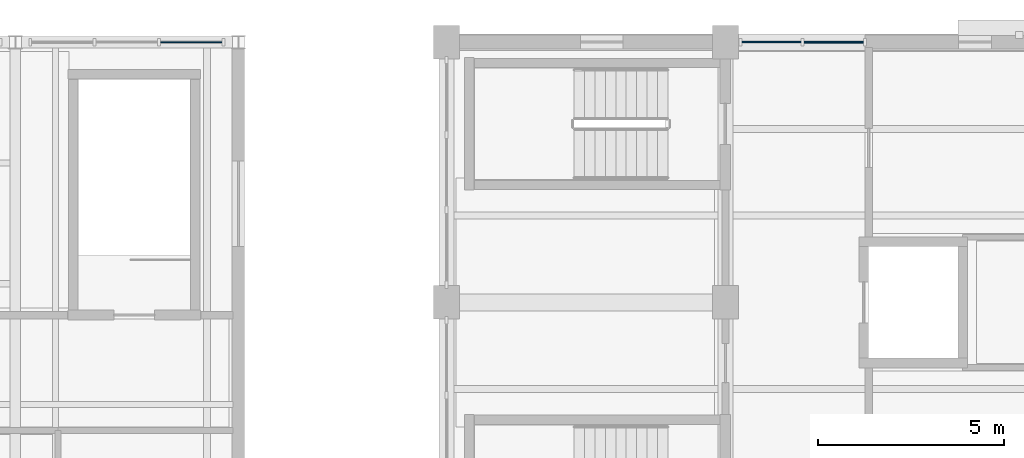
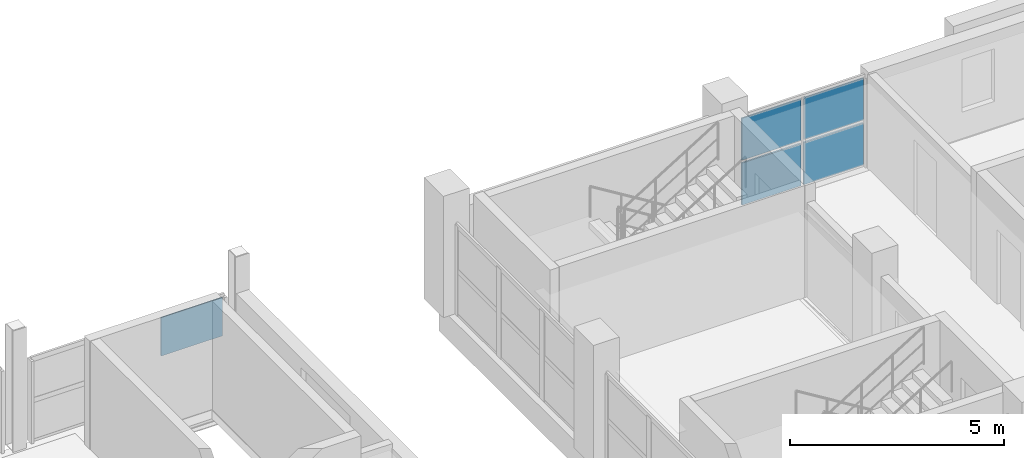
# One storey, part 56 of 77: 5 plates, 2 elements without a shape of their own.
"""IFC4 building model written with IfcOpenShell, lengths in metres."""

import ifcopenshell
import ifcopenshell.guid

model = None  # the IFC model being written
_history = None  # IfcOwnerHistory: only IFC2X3 demands one
_inside = {}  # id of a spatial element -> (the spatial element, [elements in it])
_under = {}  # id of a project, library or spatial element -> (it, [spatial elements below it])
_declared = {}  # id of a project -> (the project, [libraries it declares])
_typed = {}  # id of a type object -> (the type object, [elements of that type])
_made_of = {}  # id of a material, layer set ... -> (it, [elements and type objects made of it])


def new_model(schema):
    """Start an empty IFC model of exactly this schema.

    Asked for "IFC4X3", IfcOpenShell would pick the latest addendum, in which some entities
    have other attributes; the version numbers below select the first issue.
    IFC2X3 requires an IfcOwnerHistory on every rooted entity: one is made here for all.
    """
    global model, _history
    if schema == "IFC4X3":
        model = ifcopenshell.file(schema_version=(4, 3, 0, 0))
    else:
        model = ifcopenshell.file(schema=schema)
    _inside.clear()
    _under.clear()
    _declared.clear()
    _typed.clear()
    _made_of.clear()
    _history = None
    if model.schema == "IFC2X3":
        org = make("IfcOrganization", Name="unknown")
        user = make(
            "IfcPersonAndOrganization",
            ThePerson=make("IfcPerson", FamilyName="unknown"),
            TheOrganization=org,
        )
        app = make(
            "IfcApplication",
            ApplicationDeveloper=org,
            Version="unknown",
            ApplicationFullName="unknown",
            ApplicationIdentifier="unknown",
        )
        _history = make(
            "IfcOwnerHistory",
            OwningUser=user,
            OwningApplication=app,
            ChangeAction="ADDED",
            CreationDate=0,
        )
    return model


def make(cls, **values):
    """One entity of the class cls with the attributes given. An attribute that is None is left unset."""
    return model.create_entity(
        cls, **{name: value for name, value in values.items() if value is not None}
    )


def rooted(cls, **values):
    """An entity with a GlobalId (a new one), such as an element, a storey or a relation."""
    return make(cls, GlobalId=ifcopenshell.guid.new(), OwnerHistory=_history, **values)


def si_unit(unit_type, name, prefix=None):
    """IfcSIUnit, for example si_unit("LENGTHUNIT", "METRE", prefix="MILLI")."""
    return make("IfcSIUnit", UnitType=unit_type, Prefix=prefix, Name=name)


def assignment(units):
    """IfcUnitAssignment: the units of a project."""
    return None if units is None else make("IfcUnitAssignment", Units=units)


def point(xyz):
    """IfcCartesianPoint."""
    return None if xyz is None else make("IfcCartesianPoint", Coordinates=xyz)


def direction(xyz):
    """IfcDirection."""
    return None if xyz is None else make("IfcDirection", DirectionRatios=xyz)


def frame(location, z_axis=None, x_axis=None):
    """IfcAxis2Placement3D, a coordinate frame: its origin and axes. An axis left out is left unset."""
    return make(
        "IfcAxis2Placement3D",
        Location=point(location),
        Axis=direction(z_axis),
        RefDirection=direction(x_axis),
    )


def frame_2d(location, x_axis=None):
    """IfcAxis2Placement2D, a coordinate frame in the plane: its origin and x axis."""
    return make(
        "IfcAxis2Placement2D", Location=point(location), RefDirection=direction(x_axis)
    )


def origin():
    """The frame at (0, 0, 0) with its axes left unset."""
    return frame((0.0, 0.0, 0.0))


def origin_2d():
    """The frame at (0, 0) in the plane with its x axis left unset."""
    return frame_2d((0.0, 0.0))


def place(relative_to, where):
    """IfcLocalPlacement: puts the frame where relative to a parent placement (None: the world)."""
    return make(
        "IfcLocalPlacement", PlacementRelTo=relative_to, RelativePlacement=where
    )


def context(
    kind, dimensions, precision=None, world=None, true_north=None, identifier=None
):
    """IfcGeometricRepresentationContext, for example the 3D "Model" context."""
    return make(
        "IfcGeometricRepresentationContext",
        ContextIdentifier=identifier,
        ContextType=kind,
        CoordinateSpaceDimension=dimensions,
        Precision=precision,
        WorldCoordinateSystem=world,
        TrueNorth=true_north,
    )


def subcontext(parent, identifier, kind, view, scale=None):
    """IfcGeometricRepresentationSubContext, for example "Body" below "Model"."""
    return make(
        "IfcGeometricRepresentationSubContext",
        ContextIdentifier=identifier,
        ContextType=kind,
        ParentContext=parent,
        TargetScale=scale,
        TargetView=view,
    )


def project(units=None, contexts=None):
    """IfcProject with its units and contexts."""
    return rooted(
        "IfcProject",
        Name="project",
        RepresentationContexts=contexts,
        UnitsInContext=assignment(units),
    )


def spatial(cls, under=None, at=None, **own):
    """A site, building, storey or space (cls), placed at a placement, below another one or the project."""
    s = rooted(cls, ObjectPlacement=at, **own)
    if under is not None:
        _under.setdefault(under.id(), (under, []))[1].append(s)
    return s


def profile(cls, at=None, kind="AREA", **sizes):
    """A parametric profile (cls). Its sizes go by their IFC names, for example OverallWidth=200.0."""
    return make(cls, ProfileType=kind, Position=at, **sizes)


def rectangle(**sizes):
    """IfcRectangleProfileDef."""
    return profile("IfcRectangleProfileDef", **sizes)


def extrude(swept, where, along, depth):
    """IfcExtrudedAreaSolid: the profile swept, set in the frame where, extruded along a direction by depth."""
    return make(
        "IfcExtrudedAreaSolid",
        SweptArea=swept,
        Position=where,
        ExtrudedDirection=direction(along),
        Depth=depth,
    )


def shape(context_of_items, identifier, shape_type, items):
    """IfcShapeRepresentation: the items that make up one representation, for example the "Body"."""
    return make(
        "IfcShapeRepresentation",
        ContextOfItems=context_of_items,
        RepresentationIdentifier=identifier,
        RepresentationType=shape_type,
        Items=items,
    )


def material(Name=None, Category=None):
    """IfcMaterial."""
    return make("IfcMaterial", Name=Name, Category=Category)


def layer(
    of_material, thickness, ventilated=None, Name=None, Category=None, Priority=None
):
    """IfcMaterialLayer: one layer of a wall or slab, of a material (None: an air gap)."""
    return make(
        "IfcMaterialLayer",
        Material=of_material,
        LayerThickness=thickness,
        IsVentilated=ventilated,
        Name=Name,
        Category=Category,
        Priority=Priority,
    )


def layer_set(layers, Name=None):
    """IfcMaterialLayerSet."""
    return make("IfcMaterialLayerSet", MaterialLayers=layers, LayerSetName=Name)


def made_of(thing, what):
    """Note that an element or type object is made of a material, layer set ...; save() writes the relation."""
    if what is not None:
        _made_of.setdefault(what.id(), (what, []))[1].append(thing)
    return thing


def type_object(cls, material=None, **own):
    """A type object (cls), such as IfcWallType, which elements share."""
    return made_of(rooted(cls, **own), material)


def element(
    cls,
    number,
    at=None,
    inside=None,
    cuts=None,
    type_object=None,
    material=None,
    context=None,
    identifier="Body",
    shape_type=None,
    held_by="IfcProductDefinitionShape",
    body=None,
    shapes=None,
    **own,
):
    """One element of the class cls, such as IfcWall. Its Tag is "e" and its number.

    at: its placement. inside: the storey or other place that contains it. cuts: it is an
    opening in that element (IfcRelVoidsElement). A single representation is given by context,
    identifier, shape_type and body (its items); several are given by shapes. held_by: the class
    of the entity that holds the representations. save() writes the other relations.
    """
    e = rooted(cls, Tag="e%d" % number, ObjectPlacement=at, **own)
    if body is not None:
        shapes = [shape(context, identifier, shape_type, body)]
    if shapes is not None:
        e.Representation = make(held_by, Representations=shapes)
    if inside is not None:
        _inside.setdefault(inside.id(), (inside, []))[1].append(e)
    if cuts is not None:
        rooted(
            "IfcRelVoidsElement", RelatingBuildingElement=cuts, RelatedOpeningElement=e
        )
    if type_object is not None:
        _typed.setdefault(type_object.id(), (type_object, []))[1].append(e)
    return made_of(e, material)


def aggregate(whole, parts):
    """IfcRelAggregates: a whole, such as a stair, and the parts it consists of."""
    return rooted("IfcRelAggregates", RelatingObject=whole, RelatedObjects=parts)


def save(model, path):
    """Write the relations noted so far, then the file.

    IfcRelAggregates (storeys below a building ...), IfcRelContainedInSpatialStructure (elements
    in a storey), IfcRelDefinesByType, IfcRelAssociatesMaterial and IfcRelDeclares: one each for
    every whole, place, type object, material and project.
    """
    for whole, parts in _under.values():
        aggregate(whole, parts)
    for where, things in _inside.values():
        rooted(
            "IfcRelContainedInSpatialStructure",
            RelatedElements=things,
            RelatingStructure=where,
        )
    for kind, things in _typed.values():
        rooted("IfcRelDefinesByType", RelatedObjects=things, RelatingType=kind)
    for what, things in _made_of.values():
        rooted("IfcRelAssociatesMaterial", RelatedObjects=things, RelatingMaterial=what)
    for by, libraries in _declared.values():
        rooted("IfcRelDeclares", RelatingContext=by, RelatedDefinitions=libraries)
    model.write(path)


model = new_model("IFC4")

# Units and contexts
model_context = context("Model", 3, precision=1e-05, world=origin(), true_north=direction((0.0, 1.0)))
body_context = subcontext(model_context, "Body", "Model", "MODEL_VIEW")
ifc_project = project(units=[si_unit("LENGTHUNIT", "METRE"), si_unit("AREAUNIT", "SQUARE_METRE"), si_unit("VOLUMEUNIT", "CUBIC_METRE"), si_unit("PLANEANGLEUNIT", "RADIAN"), si_unit("MASSUNIT", "GRAM", prefix="KILO")], contexts=[model_context])

# Site, building, storey
site_placement = place(None, origin())
site = spatial("IfcSite", under=ifc_project, at=site_placement, CompositionType="ELEMENT")
building_placement = place(site_placement, origin())
building = spatial("IfcBuilding", under=site, at=building_placement, Name="Trellovar Central Fire Station", CompositionType="ELEMENT")
storey_placement = place(building_placement, frame((0.0, 0.0, 5.85009765625)))
storey = spatial("IfcBuildingStorey", under=building, at=storey_placement, Name="L02", CompositionType="ELEMENT", Elevation=5.85009765625)

# Curtain wall, plates
ifc_material_1 = material(Name="Thermally broken bronze anodized aluminum", Category="aluminium")
ifc_layer_1 = layer(ifc_material_1, 0.159912109375)
ifc_layer_set_1 = layer_set([ifc_layer_1], Name="Thermally broken bronze anodized aluminum")
curtain_wall_type_1 = type_object("IfcCurtainWallType", Name="CW-08", PredefinedType="NOTDEFINED", material=ifc_layer_set_1)
curtain_wall_1_placement = place(storey_placement, origin())
curtain_wall_1 = element("IfcCurtainWall", 1, at=curtain_wall_1_placement, inside=storey, type_object=curtain_wall_type_1, Name="V2 L02 north lobby curtain wall", PredefinedType="NOTDEFINED")
ifc_material_2 = material(Name="Double low-E solar control insulated glazing", Category="glass")
ifc_layer_2 = layer(ifc_material_2, 0.035888671875)
ifc_layer_set_2 = layer_set([ifc_layer_2], Name="Double low-E solar control insulated glazing")
plate_type_1 = type_object("IfcPlateType", Name="CWP-GL2", PredefinedType="CURTAIN_PANEL", material=ifc_layer_set_2)
plate_1_placement = place(storey_placement, frame((151.512451171875, 73.0, 1.31494140625), z_axis=(0.0, 0.0, 1.0), x_axis=(-1.0, 0.0, 0.0)))
plate_1 = element("IfcPlate", 2, at=plate_1_placement, type_object=plate_type_1, Name="CW3-L02-0156 panel 1-2", PredefinedType="CURTAIN_PANEL", context=body_context, shape_type="SweptSolid", body=[
    extrude(rectangle(XDim=1.594970703125, YDim=0.035888671875, at=origin_2d()), origin(), (0.0, 0.0, 1.0), 1.195068359375),
])
ifc_material_3 = material(Name="Double low-E solar control insulated glazing", Category="glass")
ifc_layer_3 = layer(ifc_material_3, 0.033935546875)
ifc_layer_set_3 = layer_set([ifc_layer_3], Name="Double low-E solar control insulated glazing")
plate_type_2 = type_object("IfcPlateType", Name="CWP-GL3", PredefinedType="CURTAIN_PANEL", material=ifc_layer_set_3)
plate_2_placement = place(storey_placement, frame((149.83740234375, 73.0, 1.31494140625), z_axis=(0.0, 0.0, 1.0), x_axis=(-1.0, 0.0, 0.0)))
plate_2 = element("IfcPlate", 3, at=plate_2_placement, type_object=plate_type_2, Name="CW3-L02-0156 panel 2-2", PredefinedType="CURTAIN_PANEL", context=body_context, shape_type="SweptSolid", body=[
    extrude(rectangle(XDim=1.594970703125, YDim=0.033935546875, at=origin_2d()), origin(), (0.0, 0.0, 1.0), 1.195068359375),
])

# Curtain wall, plate
ifc_material_4 = material(Name="Thermally broken bronze anodized aluminum", Category="aluminium")
ifc_layer_4 = layer(ifc_material_4, 0.159912109375)
ifc_layer_set_4 = layer_set([ifc_layer_4], Name="Thermally broken bronze anodized aluminum")
curtain_wall_type_2 = type_object("IfcCurtainWallType", Name="CW-13", PredefinedType="NOTDEFINED", material=ifc_layer_set_4)
curtain_wall_2_placement = place(storey_placement, origin())
curtain_wall_2 = element("IfcCurtainWall", 4, at=curtain_wall_2_placement, inside=storey, type_object=curtain_wall_type_2, Name="V6 L02 north clerestory 5", PredefinedType="NOTDEFINED")
ifc_material_5 = material(Name="Double low-E solar control insulated glazing", Category="glass")
ifc_layer_5 = layer(ifc_material_5, 0.030029296875)
ifc_layer_set_5 = layer_set([ifc_layer_5], Name="Double low-E solar control insulated glazing")
plate_type_3 = type_object("IfcPlateType", Name="CWP-GL4", PredefinedType="CURTAIN_PANEL", material=ifc_layer_set_5)
plate_3_placement = place(storey_placement, frame((134.2333984375, 73.0, 1.2138671875), z_axis=(0.0, 0.0, 1.0), x_axis=(-1.0, 0.0, 0.0)))
plate_3 = element("IfcPlate", 5, at=plate_3_placement, type_object=plate_type_3, Name="CW3-L02-0138 panel 1-2", PredefinedType="CURTAIN_PANEL", context=body_context, shape_type="SweptSolid", body=[
    extrude(rectangle(XDim=1.6533203125, YDim=0.030029296875, at=origin_2d()), origin(), (0.0, 0.0, 1.0), 1.093994140625),
])
aggregate(curtain_wall_2, [plate_3])

# Plate
ifc_material_6 = material(Name="Glazed ceramic trencadis and terracotta panel", Category="masonry")
ifc_layer_6 = layer(ifc_material_6, 0.048095703125)
ifc_layer_set_6 = layer_set([ifc_layer_6], Name="Glazed ceramic trencadis and terracotta panel")
plate_type_4 = type_object("IfcPlateType", Name="CWP-SP1", PredefinedType="CURTAIN_PANEL", material=ifc_layer_set_6)
plate_4_placement = place(storey_placement, frame((151.512451171875, 73.0, 0.0400390625), z_axis=(0.0, 0.0, 1.0), x_axis=(-1.0, 0.0, 0.0)))
plate_4 = element("IfcPlate", 6, at=plate_4_placement, type_object=plate_type_4, Name="CW3-L02-0156 panel 1-1", PredefinedType="CURTAIN_PANEL", context=body_context, shape_type="SweptSolid", body=[
    extrude(rectangle(XDim=1.594970703125, YDim=0.048095703125, at=origin_2d()), origin(), (0.0, 0.0, 1.0), 1.195068359375),
])

ifc_material_7 = material(Name="Glazed ceramic trencadis and terracotta panel", Category="masonry")
ifc_layer_7 = layer(ifc_material_7, 0.044921875)
ifc_layer_set_7 = layer_set([ifc_layer_7], Name="Glazed ceramic trencadis and terracotta panel")
plate_type_5 = type_object("IfcPlateType", Name="CWP-SP2", PredefinedType="CURTAIN_PANEL", material=ifc_layer_set_7)
plate_5_placement = place(storey_placement, frame((149.83740234375, 73.0, 0.0400390625), z_axis=(0.0, 0.0, 1.0), x_axis=(-1.0, 0.0, 0.0)))
plate_5 = element("IfcPlate", 7, at=plate_5_placement, type_object=plate_type_5, Name="CW3-L02-0156 panel 2-1", PredefinedType="CURTAIN_PANEL", context=body_context, shape_type="SweptSolid", body=[
    extrude(rectangle(XDim=1.594970703125, YDim=0.044921875, at=origin_2d()), origin(), (0.0, 0.0, 1.0), 1.195068359375),
])

aggregate(curtain_wall_1, [plate_4, plate_1, plate_5, plate_2])

save(model, "model.ifc")
